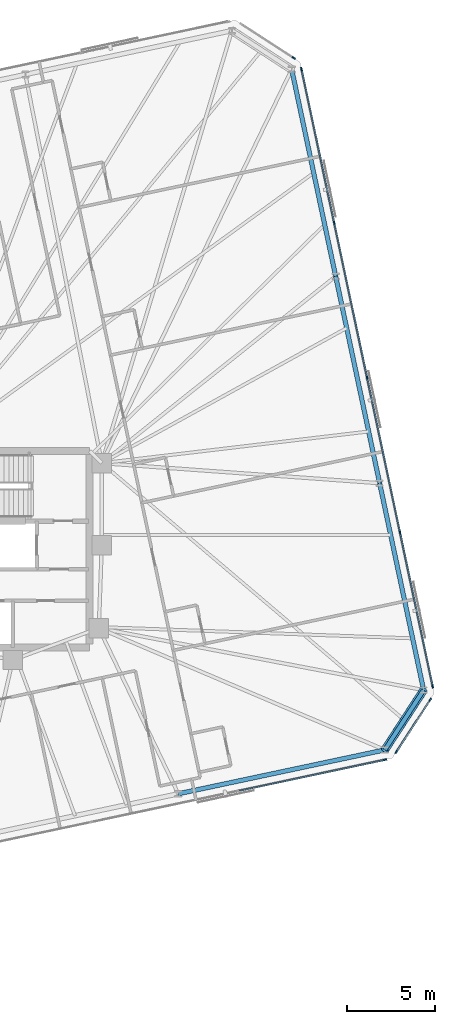
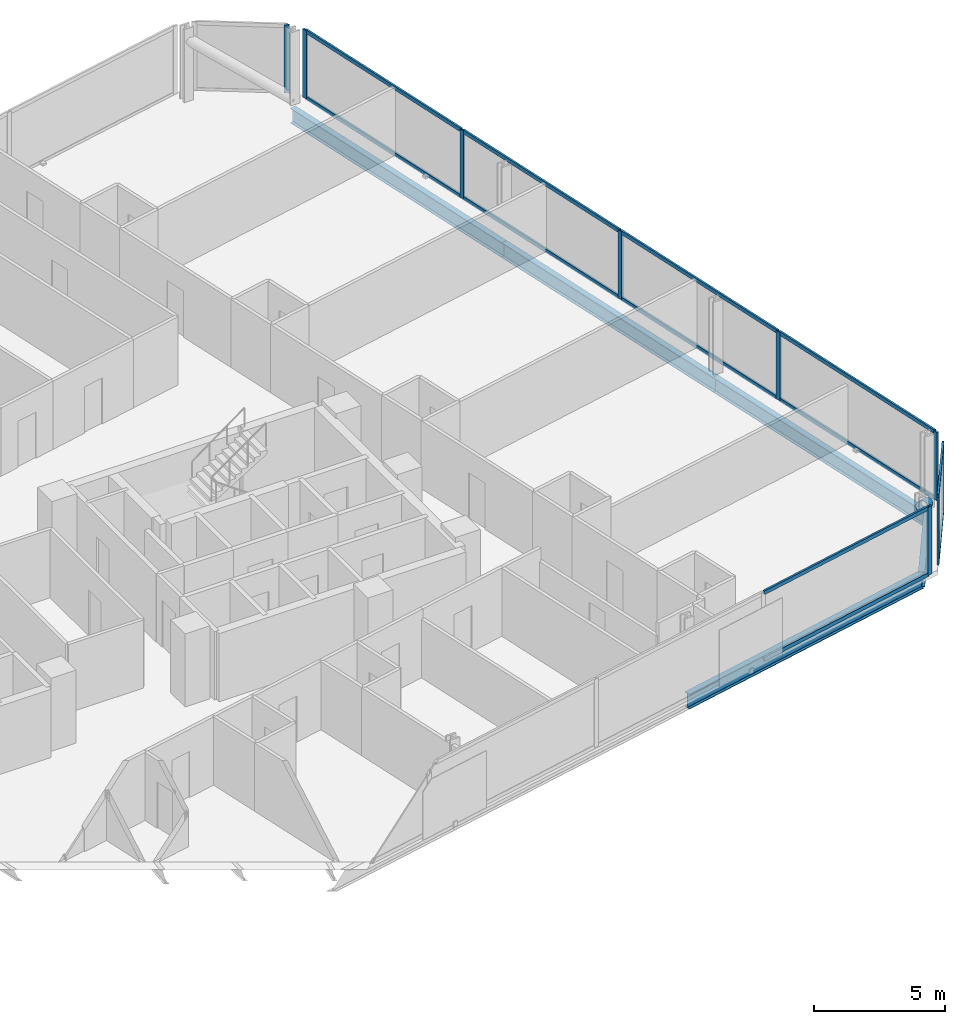
# One storey, part 12 of 20: 22 members, 5 beams, 4 elements without a shape of their own.
"""IFC4 building model written with IfcOpenShell, lengths in metres."""

from ifc_helpers import new_model, si_unit, direction, frame, origin, origin_2d, place, context, subcontext, project, spatial, rectangle, hollow_circle, i_section, extrude, material, material_profile, profile_set, type_object, element, aggregate, save


model = new_model("IFC4")

# Units and contexts
model_context = context("Model", 3, precision=1e-05, world=origin(), true_north=direction((0.0, 1.0)))
body_context = subcontext(model_context, "Body", "Model", "MODEL_VIEW")
ifc_project = project(units=[si_unit("LENGTHUNIT", "METRE"), si_unit("AREAUNIT", "SQUARE_METRE"), si_unit("VOLUMEUNIT", "CUBIC_METRE"), si_unit("PLANEANGLEUNIT", "RADIAN"), si_unit("MASSUNIT", "GRAM", prefix="KILO")], contexts=[model_context])

# Site, building, storey
site_placement = place(None, origin())
site = spatial("IfcSite", under=ifc_project, at=site_placement, CompositionType="ELEMENT")
building_placement = place(site_placement, origin())
building = spatial("IfcBuilding", under=site, at=building_placement, Name="Menara Jurai Vektor", CompositionType="ELEMENT")
storey_placement = place(building_placement, frame((0.0, 0.0, 185.39990234375)))
storey = spatial("IfcBuildingStorey", under=building, at=storey_placement, Name="L48", CompositionType="ELEMENT", Elevation=185.39990234375)

# Curtain wall, member
ifc_material_1 = material(Name="Anodised Pale Aluminium & Low-E Double Glazing", Category="aluminium")
curtain_wall_type = type_object("IfcCurtainWallType", Name="CW-BLK3", PredefinedType="NOTDEFINED", material=ifc_material_1)
curtain_wall_1_placement = place(storey_placement, origin())
curtain_wall_1 = element("IfcCurtainWall", 1, at=curtain_wall_1_placement, inside=storey, type_object=curtain_wall_type, Name="Unitised Curtain Wall L48 F01", PredefinedType="NOTDEFINED")
ifc_material_2 = material(Name="Anodised Pale Aluminium Mullion", Category="aluminium")
ifc_material_profile_1 = material_profile(ifc_material_2, rectangle(XDim=0.0849609375, YDim=0.205078125, at=origin_2d()), Name="ALU MUL 85x205")
ifc_profile_set_1 = profile_set([ifc_material_profile_1], Name="Anodised Pale Aluminium Mullion")
member_type_1 = type_object("IfcMemberType", Name="CW-BLK3-MUL", PredefinedType="MULLION", material=ifc_profile_set_1)
member_1_placement = place(storey_placement, frame((31.392578125, -11.99755859375, 0.0), z_axis=(0.0, 0.0, 1.0), x_axis=(-0.207911344156, 0.978147674419, 0.0)))
member_1 = element("IfcMember", 2, at=member_1_placement, type_object=member_type_1, Name="CW-03 mullion 8", PredefinedType="MULLION", context=body_context, shape_type="SweptSolid", body=[
    extrude(rectangle(XDim=0.0849609375, YDim=0.205078125, at=origin_2d()), origin(), (0.0, 0.0, 1.0), 3.175048828125),
])

# Curtain wall, members
curtain_wall_2_placement = place(storey_placement, origin())
curtain_wall_2 = element("IfcCurtainWall", 3, at=curtain_wall_2_placement, inside=storey, type_object=curtain_wall_type, Name="Unitised Curtain Wall L48 F02", PredefinedType="NOTDEFINED")
member_2_placement = place(storey_placement, frame((32.035888671875, -11.555419921875, 0.0), z_axis=(0.0, 0.0, 1.0), x_axis=(-0.838684361415, 0.544617794346, 0.0)))
member_2 = element("IfcMember", 4, at=member_2_placement, type_object=member_type_1, Name="CW-03 mullion 1", PredefinedType="MULLION", context=body_context, shape_type="SweptSolid", body=[
    extrude(rectangle(XDim=0.0849609375, YDim=0.205078125, at=origin_2d()), origin(), (0.0, 0.0, 1.0), 3.175048828125),
])
member_3_placement = place(storey_placement, frame((33.96337890625, -8.587158203125, 0.0), z_axis=(0.0, 0.0, 1.0), x_axis=(-0.838684361415, 0.544617794346, 0.0)))
member_3 = element("IfcMember", 5, at=member_3_placement, type_object=member_type_1, Name="CW-03 mullion 2", PredefinedType="MULLION", context=body_context, shape_type="SweptSolid", body=[
    extrude(rectangle(XDim=0.0849609375, YDim=0.205078125, at=origin_2d()), origin(), (0.0, 0.0, 1.0), 3.175048828125),
])

curtain_wall_3_placement = place(storey_placement, origin())
curtain_wall_3 = element("IfcCurtainWall", 6, at=curtain_wall_3_placement, inside=storey, type_object=curtain_wall_type, Name="Unitised Curtain Wall L48 F03", PredefinedType="NOTDEFINED")
member_4_placement = place(storey_placement, frame((34.105712890625, -7.819580078125, 0.0), z_axis=(0.0, 0.0, 1.0), x_axis=(-0.978147883949, -0.20791035839, 0.0)))
member_4 = element("IfcMember", 7, at=member_4_placement, type_object=member_type_1, Name="CW-03 mullion 1", PredefinedType="MULLION", context=body_context, shape_type="SweptSolid", body=[
    extrude(rectangle(XDim=0.0849609375, YDim=0.205078125, at=origin_2d()), origin(), (0.0, 0.0, 1.0), 3.175048828125),
])
member_5_placement = place(storey_placement, frame((32.2412109375, 0.951904296875, 0.0), z_axis=(0.0, 0.0, 1.0), x_axis=(-0.978147883949, -0.20791035839, 0.0)))
member_5 = element("IfcMember", 8, at=member_5_placement, type_object=member_type_1, Name="CW-03 mullion 2", PredefinedType="MULLION", context=body_context, shape_type="SweptSolid", body=[
    extrude(rectangle(XDim=0.0849609375, YDim=0.205078125, at=origin_2d()), origin(), (0.0, 0.0, 1.0), 3.175048828125),
])
member_6_placement = place(storey_placement, frame((30.367919921875, 9.76513671875, 0.0), z_axis=(0.0, 0.0, 1.0), x_axis=(-0.978147883949, -0.20791035839, 0.0)))
member_6 = element("IfcMember", 9, at=member_6_placement, type_object=member_type_1, Name="CW-03 mullion 3", PredefinedType="MULLION", context=body_context, shape_type="SweptSolid", body=[
    extrude(rectangle(XDim=0.0849609375, YDim=0.205078125, at=origin_2d()), origin(), (0.0, 0.0, 1.0), 3.175048828125),
])
member_7_placement = place(storey_placement, frame((28.49462890625, 18.578125, 0.0), z_axis=(0.0, 0.0, 1.0), x_axis=(-0.978147883949, -0.20791035839, 0.0)))
member_7 = element("IfcMember", 10, at=member_7_placement, type_object=member_type_1, Name="CW-03 mullion 4", PredefinedType="MULLION", context=body_context, shape_type="SweptSolid", body=[
    extrude(rectangle(XDim=0.0849609375, YDim=0.205078125, at=origin_2d()), origin(), (0.0, 0.0, 1.0), 3.175048828125),
])
member_8_placement = place(storey_placement, frame((26.630126953125, 27.349609375, 0.0), z_axis=(0.0, 0.0, 1.0), x_axis=(-0.978147883949, -0.20791035839, 0.0)))
member_8 = element("IfcMember", 11, at=member_8_placement, type_object=member_type_1, Name="CW-03 mullion 5", PredefinedType="MULLION", context=body_context, shape_type="SweptSolid", body=[
    extrude(rectangle(XDim=0.0849609375, YDim=0.205078125, at=origin_2d()), origin(), (0.0, 0.0, 1.0), 3.175048828125),
])

# Curtain wall, member
curtain_wall_4_placement = place(storey_placement, origin())
curtain_wall_4 = element("IfcCurtainWall", 12, at=curtain_wall_4_placement, inside=storey, type_object=curtain_wall_type, Name="Unitised Curtain Wall L48 F04", PredefinedType="NOTDEFINED")
member_9_placement = place(storey_placement, frame((26.18798828125, 27.9931640625, 0.0), z_axis=(0.0, 0.0, 1.0), x_axis=(-0.544617794346, -0.838684361415, 0.0)))
member_9 = element("IfcMember", 13, at=member_9_placement, type_object=member_type_1, Name="CW-03 mullion 1", PredefinedType="MULLION", context=body_context, shape_type="SweptSolid", body=[
    extrude(rectangle(XDim=0.0849609375, YDim=0.205078125, at=origin_2d()), origin(), (0.0, 0.0, 1.0), 3.175048828125),
])
aggregate(curtain_wall_4, [member_9])

# Member
ifc_material_3 = material(Name="Anodised Pale Aluminium Transom", Category="aluminium")
ifc_material_profile_2 = material_profile(ifc_material_3, rectangle(XDim=0.0849609375, YDim=0.175048828125, at=origin_2d()), Name="ALU TRN 85x175")
ifc_profile_set_2 = profile_set([ifc_material_profile_2], Name="Anodised Pale Aluminium Transom")
member_type_2 = type_object("IfcMemberType", Name="CW-BLK3-TRN", PredefinedType="USERDEFINED", material=ifc_profile_set_2)
member_10_placement = place(storey_placement, frame((23.0859375, -13.76318359375, 0.04248046875), z_axis=(0.978146953428, 0.207914736128, 0.0), x_axis=(-0.207914736128, 0.978146953428, 0.0)))
member_10 = element("IfcMember", 14, at=member_10_placement, type_object=member_type_2, Name="CW-03 transom 7.1", ObjectType="TRANSOM", PredefinedType="USERDEFINED", context=body_context, shape_type="SweptSolid", body=[
    extrude(rectangle(XDim=0.0849609375, YDim=0.175048828125, at=origin_2d()), origin(), (0.0, 0.0, 1.0), 8.44970703125),
])

member_11_placement = place(storey_placement, frame((23.0859375, -13.76318359375, 3.132568359375), z_axis=(0.978146953428, 0.207914736128, 0.0), x_axis=(-0.207914736128, 0.978146953428, 0.0)))
member_11 = element("IfcMember", 15, at=member_11_placement, type_object=member_type_2, Name="CW-03 transom 7.2", ObjectType="TRANSOM", PredefinedType="USERDEFINED", context=body_context, shape_type="SweptSolid", body=[
    extrude(rectangle(XDim=0.0849609375, YDim=0.175048828125, at=origin_2d()), origin(), (0.0, 0.0, 1.0), 8.44970703125),
])

aggregate(curtain_wall_1, [member_1, member_10, member_11])

member_12_placement = place(storey_placement, frame((32.05908203125, -11.519775390625, 0.04248046875), z_axis=(0.54459575764, 0.838698671014, 0.0), x_axis=(-0.838698671014, 0.54459575764, 0.0)))
member_12 = element("IfcMember", 16, at=member_12_placement, type_object=member_type_2, Name="CW-03 transom 1.1", ObjectType="TRANSOM", PredefinedType="USERDEFINED", context=body_context, shape_type="SweptSolid", body=[
    extrude(rectangle(XDim=0.0849609375, YDim=0.175048828125, at=origin_2d()), origin(), (0.0, 0.0, 1.0), 3.4541015625),
])

member_13_placement = place(storey_placement, frame((32.05908203125, -11.519775390625, 3.132568359375), z_axis=(0.54459575764, 0.838698671014, 0.0), x_axis=(-0.838698671014, 0.54459575764, 0.0)))
member_13 = element("IfcMember", 17, at=member_13_placement, type_object=member_type_2, Name="CW-03 transom 1.2", ObjectType="TRANSOM", PredefinedType="USERDEFINED", context=body_context, shape_type="SweptSolid", body=[
    extrude(rectangle(XDim=0.0849609375, YDim=0.175048828125, at=origin_2d()), origin(), (0.0, 0.0, 1.0), 3.4541015625),
])

aggregate(curtain_wall_2, [member_2, member_3, member_12, member_13])

member_14_placement = place(storey_placement, frame((34.096923828125, -7.778076171875, 0.04248046875), z_axis=(-0.207925814542, 0.978144598537, 0.0), x_axis=(-0.978144598537, -0.207925814542, 0.0)))
member_14 = element("IfcMember", 18, at=member_14_placement, type_object=member_type_2, Name="CW-03 transom 1.1", ObjectType="TRANSOM", PredefinedType="USERDEFINED", context=body_context, shape_type="SweptSolid", body=[
    extrude(rectangle(XDim=0.0849609375, YDim=0.175048828125, at=origin_2d()), origin(), (0.0, 0.0, 1.0), 8.882568359375),
])

member_15_placement = place(storey_placement, frame((34.096923828125, -7.778076171875, 3.132568359375), z_axis=(-0.207925814542, 0.978144598537, 0.0), x_axis=(-0.978144598537, -0.207925814542, 0.0)))
member_15 = element("IfcMember", 19, at=member_15_placement, type_object=member_type_2, Name="CW-03 transom 1.2", ObjectType="TRANSOM", PredefinedType="USERDEFINED", context=body_context, shape_type="SweptSolid", body=[
    extrude(rectangle(XDim=0.0849609375, YDim=0.175048828125, at=origin_2d()), origin(), (0.0, 0.0, 1.0), 8.882568359375),
])

member_16_placement = place(storey_placement, frame((32.232421875, 0.993408203125, 0.04248046875), z_axis=(-0.207922224243, 0.978145361726, 0.0), x_axis=(-0.978145361726, -0.207922224243, 0.0)))
member_16 = element("IfcMember", 20, at=member_16_placement, type_object=member_type_2, Name="CW-03 transom 2.1", ObjectType="TRANSOM", PredefinedType="USERDEFINED", context=body_context, shape_type="SweptSolid", body=[
    extrude(rectangle(XDim=0.0849609375, YDim=0.175048828125, at=origin_2d()), origin(), (0.0, 0.0, 1.0), 8.925048828125),
])

member_17_placement = place(storey_placement, frame((32.232421875, 0.993408203125, 3.132568359375), z_axis=(-0.207922224243, 0.978145361726, 0.0), x_axis=(-0.978145361726, -0.207922224243, 0.0)))
member_17 = element("IfcMember", 21, at=member_17_placement, type_object=member_type_2, Name="CW-03 transom 2.2", ObjectType="TRANSOM", PredefinedType="USERDEFINED", context=body_context, shape_type="SweptSolid", body=[
    extrude(rectangle(XDim=0.0849609375, YDim=0.175048828125, at=origin_2d()), origin(), (0.0, 0.0, 1.0), 8.925048828125),
])

member_18_placement = place(storey_placement, frame((30.359130859375, 9.806640625, 0.04248046875), z_axis=(-0.207922224243, 0.978145361726, 0.0), x_axis=(-0.978145361726, -0.207922224243, 0.0)))
member_18 = element("IfcMember", 22, at=member_18_placement, type_object=member_type_2, Name="CW-03 transom 3.1", ObjectType="TRANSOM", PredefinedType="USERDEFINED", context=body_context, shape_type="SweptSolid", body=[
    extrude(rectangle(XDim=0.0849609375, YDim=0.175048828125, at=origin_2d()), origin(), (0.0, 0.0, 1.0), 8.925048828125),
])

member_19_placement = place(storey_placement, frame((30.359130859375, 9.806640625, 3.132568359375), z_axis=(-0.207922224243, 0.978145361726, 0.0), x_axis=(-0.978145361726, -0.207922224243, 0.0)))
member_19 = element("IfcMember", 23, at=member_19_placement, type_object=member_type_2, Name="CW-03 transom 3.2", ObjectType="TRANSOM", PredefinedType="USERDEFINED", context=body_context, shape_type="SweptSolid", body=[
    extrude(rectangle(XDim=0.0849609375, YDim=0.175048828125, at=origin_2d()), origin(), (0.0, 0.0, 1.0), 8.925048828125),
])

member_20_placement = place(storey_placement, frame((28.48583984375, 18.61962890625, 0.04248046875), z_axis=(-0.207899517354, 0.978150188204, 0.0), x_axis=(-0.978150188204, -0.207899517354, 0.0)))
member_20 = element("IfcMember", 24, at=member_20_placement, type_object=member_type_2, Name="CW-03 transom 4.1", ObjectType="TRANSOM", PredefinedType="USERDEFINED", context=body_context, shape_type="SweptSolid", body=[
    extrude(rectangle(XDim=0.0849609375, YDim=0.175048828125, at=origin_2d()), origin(), (0.0, 0.0, 1.0), 8.882568359375),
])

member_21_placement = place(storey_placement, frame((28.48583984375, 18.61962890625, 3.132568359375), z_axis=(-0.207899517354, 0.978150188204, 0.0), x_axis=(-0.978150188204, -0.207899517354, 0.0)))
member_21 = element("IfcMember", 25, at=member_21_placement, type_object=member_type_2, Name="CW-03 transom 4.2", ObjectType="TRANSOM", PredefinedType="USERDEFINED", context=body_context, shape_type="SweptSolid", body=[
    extrude(rectangle(XDim=0.0849609375, YDim=0.175048828125, at=origin_2d()), origin(), (0.0, 0.0, 1.0), 8.882568359375),
])

aggregate(curtain_wall_3, [member_4, member_5, member_6, member_7, member_8, member_14, member_15, member_16, member_17, member_18, member_19, member_20, member_21])

ifc_material_4 = material(Name="Steel S460", Category="steel")
ifc_material_profile_3 = material_profile(ifc_material_4, hollow_circle(Radius=0.228515625, WallThickness=0.01611328125, at=origin_2d()), Name="CHS 457x16")
ifc_profile_set_3 = profile_set([ifc_material_profile_3], Name="Steel S460")
member_type_3 = type_object("IfcMemberType", Name="STR-BR-457", PredefinedType="BRACE", material=ifc_profile_set_3)
member_22_placement = place(storey_placement, frame((33.588623046875, -8.031982421875, 0.150146484375), z_axis=(-0.454871874024, -0.700428396616, 0.549992399435), x_axis=(0.838665998507, -0.544646071268, 0.0)))
element("IfcMember", 26, at=member_22_placement, inside=storey, type_object=member_type_3, Name="Exoskeleton Corner Brace L48-1", PredefinedType="BRACE", context=body_context, shape_type="SweptSolid", body=[
    extrude(hollow_circle(Radius=0.228515625, WallThickness=0.01611328125, at=origin_2d()), origin(), (0.0, 0.0, 1.0), 4.86376953125),
])

# Beams
ifc_material_profile_4 = material_profile(ifc_material_4, i_section(OverallWidth=0.256103515625, OverallDepth=0.693115234375, WebThickness=0.013916015625, FlangeThickness=0.02392578125, FilletRadius=0.014892578125, at=origin_2d()), Name="UKB 686x254x170")
ifc_profile_set_4 = profile_set([ifc_material_profile_4], Name="Steel S460")
beam_type = type_object("IfcBeamType", Name="STR-SP-686", PredefinedType="SPANDREL", material=ifc_profile_set_4)
beam_1_placement = place(storey_placement, frame((19.608154296875, -13.940185546875, -0.5712890625), z_axis=(0.97814616202, 0.207918459318, 0.0), x_axis=(-0.207918459318, 0.97814616202, 0.0)))
element("IfcBeam", 27, at=beam_1_placement, inside=storey, type_object=beam_type, Name="Exoskeleton Spandrel Beam L48-05", PredefinedType="SPANDREL", context=body_context, shape_type="SweptSolid", body=[
    extrude(i_section(OverallWidth=0.256103515625, OverallDepth=0.693115234375, WebThickness=0.013916015625, FlangeThickness=0.02392578125, FilletRadius=0.014892578125, at=origin_2d()), origin(), (0.0, 0.0, 1.0), 12.031005859375),
])
beam_2_placement = place(storey_placement, frame((31.376220703125, -11.438720703125, -0.5712890625), z_axis=(0.544646071268, 0.838665998507, 0.0), x_axis=(-0.838665998507, 0.544646071268, 0.0)))
element("IfcBeam", 28, at=beam_2_placement, inside=storey, type_object=beam_type, Name="Exoskeleton Spandrel Beam L48-06", PredefinedType="SPANDREL", context=body_context, shape_type="SweptSolid", body=[
    extrude(i_section(OverallWidth=0.256103515625, OverallDepth=0.693115234375, WebThickness=0.013916015625, FlangeThickness=0.02392578125, FilletRadius=0.014892578125, at=origin_2d()), origin(), (0.0, 0.0, 1.0), 4.06201171875),
])
beam_3_placement = place(storey_placement, frame((33.588623046875, -8.031982421875, -0.5712890625), z_axis=(-0.207925382659, 0.978144690343, 0.0), x_axis=(-0.978144690343, -0.207925382659, 0.0)))
element("IfcBeam", 29, at=beam_3_placement, inside=storey, type_object=beam_type, Name="Exoskeleton Spandrel Beam L48-07", PredefinedType="SPANDREL", context=body_context, shape_type="SweptSolid", body=[
    extrude(i_section(OverallWidth=0.256103515625, OverallDepth=0.693115234375, WebThickness=0.013916015625, FlangeThickness=0.02392578125, FilletRadius=0.014892578125, at=origin_2d()), origin(), (0.0, 0.0, 1.0), 12.0517578125),
])
for number, where, z_axis, x_axis, name in (
    (30, (31.082763671875, 3.75634765625, -0.5712890625), (-0.207901880993, 0.978149685825, 0.0), (-0.978149685825, -0.207901880993, 0.0), "Exoskeleton Spandrel Beam L48-08"),
    (31, (28.5771484375, 15.544921875, -0.5712890625), (-0.207921262698, 0.978145566119, 0.0), (-0.978145566119, -0.207921262698, 0.0), "Exoskeleton Spandrel Beam L48-09"),
):
    element("IfcBeam", number, at=place(storey_placement, frame(where, z_axis=z_axis, x_axis=x_axis)), inside=storey, type_object=beam_type, Name=name, PredefinedType="SPANDREL", context=body_context, shape_type="SweptSolid", body=[
        extrude(i_section(OverallWidth=0.256103515625, OverallDepth=0.693115234375, WebThickness=0.013916015625, FlangeThickness=0.02392578125, FilletRadius=0.014892578125, at=origin_2d()), origin(), (0.0, 0.0, 1.0), 12.052001953125),
    ])

save(model, "model.ifc")
